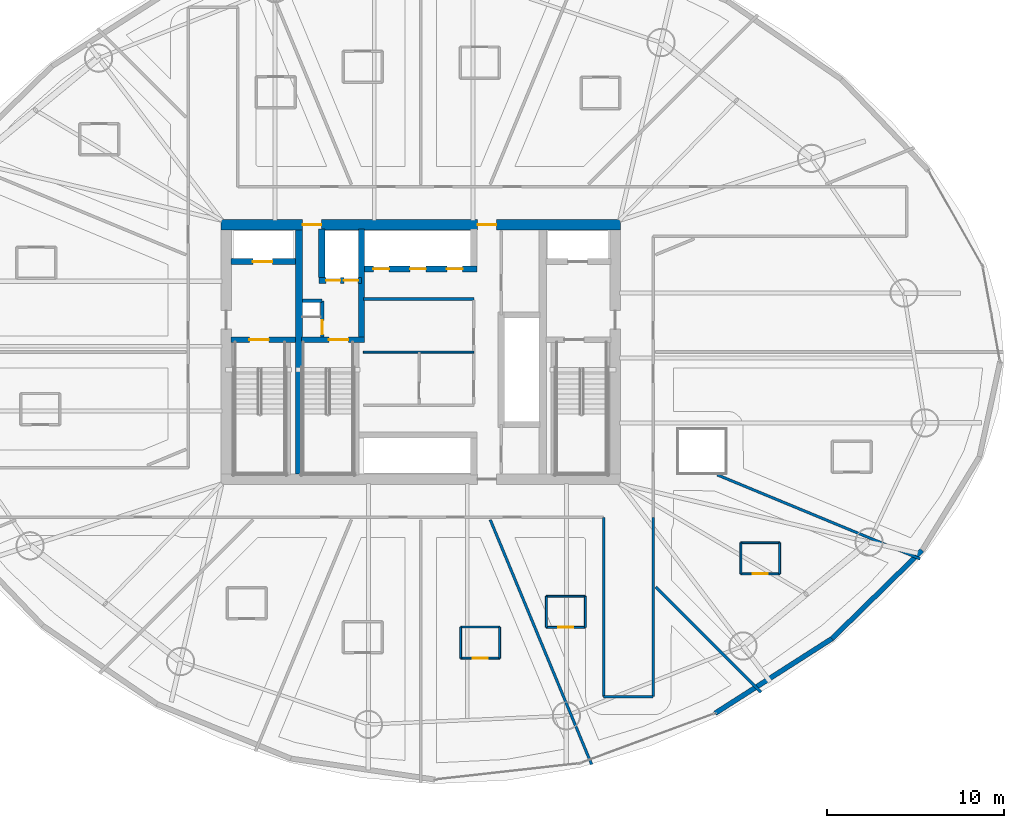
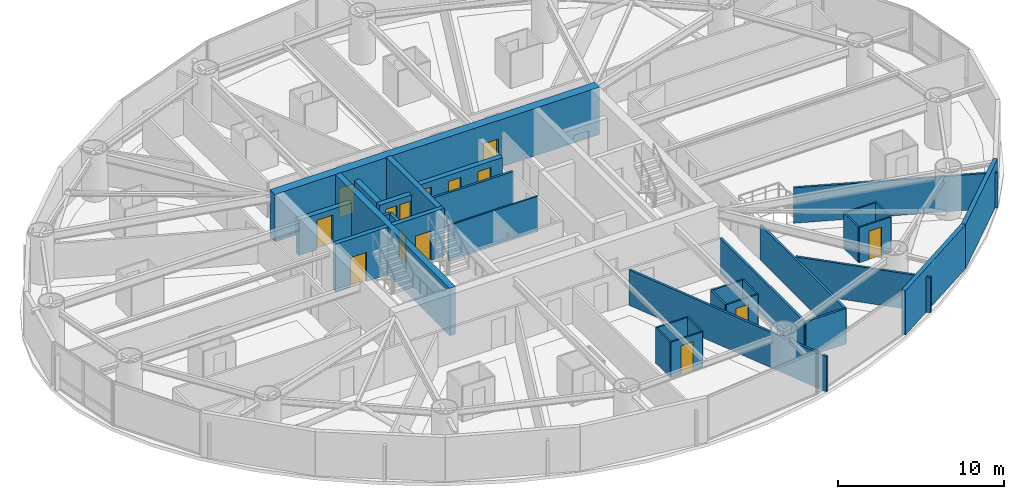
# One storey, part 20 of 27: 33 walls, 14 doors, 14 openings.
"""IFC4 building model written with IfcOpenShell, lengths in metres."""

from ifc_helpers import new_model, si_unit, direction, frame, frame_2d, origin, place, context, subcontext, project, spatial, rectangle, extrude, material, layer, layer_set, type_object, element, fill, save


model = new_model("IFC4")

# Units and contexts
model_context = context("Model", 3, precision=1e-05, world=origin(), true_north=direction((0.0, 1.0)))
body_context = subcontext(model_context, "Body", "Model", "MODEL_VIEW")
ifc_project = project(units=[si_unit("LENGTHUNIT", "METRE"), si_unit("AREAUNIT", "SQUARE_METRE"), si_unit("VOLUMEUNIT", "CUBIC_METRE"), si_unit("PLANEANGLEUNIT", "RADIAN"), si_unit("MASSUNIT", "GRAM", prefix="KILO")], contexts=[model_context])

# Site, building, storey
site_placement = place(None, origin())
site = spatial("IfcSite", under=ifc_project, at=site_placement, CompositionType="ELEMENT")
building_placement = place(site_placement, origin())
building = spatial("IfcBuilding", under=site, at=building_placement, Name="Bramvorn Convention Spire", CompositionType="ELEMENT")
storey_placement = place(building_placement, frame((0.0, 0.0, 41.39990234375)))
storey = spatial("IfcBuildingStorey", under=building, at=storey_placement, Name="L07", CompositionType="ELEMENT", Elevation=41.39990234375)

# Wall, openings, doors
ifc_material_1 = material(Name="Concrete C60/70", Category="concrete")
ifc_layer_1 = layer(ifc_material_1, 0.60009765625)
ifc_layer_set_1 = layer_set([ifc_layer_1], Name="Concrete C60/70 - WL-CORE-600")
wall_type_1 = type_object("IfcWallType", Name="WL-CORE-600", PredefinedType="SHEAR", material=ifc_layer_set_1)
wall_1_placement = place(storey_placement, frame((26.699951171875, 33.199951171875, 0.0), z_axis=(0.0, 0.0, 1.0), x_axis=(1.0, 0.0, 0.0)))
wall_1 = element("IfcWall", 1, at=wall_1_placement, inside=storey, type_object=wall_type_1, Name="L07 North RC core shear wall", PredefinedType="SHEAR", context=body_context, shape_type="SweptSolid", body=[
    extrude(rectangle(XDim=22.60009765625, YDim=0.60009765625, at=frame_2d((11.300048828125, 0.0))), origin(), (0.0, 0.0, 1.0), 3.5),
])
opening_1_placement = place(wall_1_placement, frame((4.6201171875, 0.0, 0.0)))
opening_1 = element("IfcOpeningElement", 2, at=opening_1_placement, cuts=wall_1, Name="Opening DL-105", PredefinedType="OPENING", context=body_context, shape_type="SweptSolid", body=[
    extrude(rectangle(XDim=1.050048828125, YDim=2.14990234375, at=frame_2d((0.52490234375, 1.074951171875))), frame((0.0, 0.31005859375, 0.0), z_axis=(0.0, -1.0, 0.0), x_axis=(1.0, 0.0, 0.0)), (0.0, 0.0, 1.0), 0.6201171875),
])
opening_2_placement = place(wall_1_placement, frame((14.52001953125, 0.0, 0.0)))
opening_2 = element("IfcOpeningElement", 3, at=opening_2_placement, cuts=wall_1, Name="Opening DL-105", PredefinedType="OPENING", context=body_context, shape_type="SweptSolid", body=[
    extrude(rectangle(XDim=1.050048828125, YDim=2.14990234375, at=frame_2d((0.52490234375, 1.074951171875))), frame((0.0, 0.31005859375, 0.0), z_axis=(0.0, -1.0, 0.0), x_axis=(1.0, 0.0, 0.0)), (0.0, 0.0, 1.0), 0.6201171875),
])
ifc_material_2 = material(Name="Smoke-Sealed Fire Lobby Timber-Core Door", Category="wood")
door_type_1 = type_object("IfcDoorType", Name="DR-LOBBY-1050", OperationType="NOTDEFINED", PredefinedType="DOOR", material=ifc_material_2)
door_1_placement = place(opening_1_placement, origin())
door_1 = element("IfcDoor", 4, at=door_1_placement, inside=storey, type_object=door_type_1, Name="L07 Service & Stair ST3 Lobby north corridor door", OperationType="SINGLE_SWING_LEFT", OverallHeight=2.14990234375, OverallWidth=1.050048828125, PredefinedType="DOOR", context=body_context, shape_type="SweptSolid", body=[
    extrude(rectangle(XDim=1.050048828125, YDim=2.14990234375, at=frame_2d((0.52490234375, 1.074951171875))), frame((0.0, 0.02490234375, 0.0), z_axis=(0.0, -1.0, 0.0), x_axis=(1.0, 0.0, 0.0)), (0.0, 0.0, 1.0), 0.050048828125),
])
fill(opening_1, door_1)
door_2_placement = place(opening_2_placement, origin())
door_2 = element("IfcDoor", 5, at=door_2_placement, inside=storey, type_object=door_type_1, Name="L07 North Lift Lobby fire door", OperationType="SINGLE_SWING_LEFT", OverallHeight=2.14990234375, OverallWidth=1.050048828125, PredefinedType="DOOR", context=body_context, shape_type="SweptSolid", body=[
    extrude(rectangle(XDim=1.050048828125, YDim=2.14990234375, at=frame_2d((0.52490234375, 1.074951171875))), frame((0.0, 0.02490234375, 0.0), z_axis=(0.0, -1.0, 0.0), x_axis=(1.0, 0.0, 0.0)), (0.0, 0.0, 1.0), 0.050048828125),
])
fill(opening_2, door_2)

# Wall, opening, door
ifc_material_3 = material(Name="Concrete C50/60", Category="concrete")
ifc_layer_2 = layer(ifc_material_3, 0.35009765625)
ifc_layer_set_2 = layer_set([ifc_layer_2], Name="Concrete C50/60 - WL-CORE-INT-350")
wall_type_2 = type_object("IfcWallType", Name="WL-CORE-INT-350", PredefinedType="SHEAR", material=ifc_layer_set_2)
wall_2_placement = place(storey_placement, frame((27.25, 31.1201171875, 0.0), z_axis=(0.0, 0.0, 1.0), x_axis=(1.0, 0.0, 0.0)))
wall_2 = element("IfcWall", 6, at=wall_2_placement, inside=storey, type_object=wall_type_2, Name="L07 FE1 shaft front wall", PredefinedType="SHEAR", context=body_context, shape_type="SweptSolid", body=[
    extrude(rectangle(XDim=3.669921875, YDim=0.35009765625, at=frame_2d((1.8349609375, 0.0))), origin(), (0.0, 0.0, 1.0), 2.60009765625),
])
opening_3_placement = place(wall_2_placement, frame((1.25, 0.0, 0.0)))
opening_3 = element("IfcOpeningElement", 7, at=opening_3_placement, cuts=wall_2, Name="Opening LD-110", PredefinedType="OPENING", context=body_context, shape_type="SweptSolid", body=[
    extrude(rectangle(XDim=1.10009765625, YDim=2.14990234375, at=frame_2d((0.550048828125, 1.074951171875))), frame((0.0, 0.18505859375, 0.0), z_axis=(0.0, -1.0, 0.0), x_axis=(1.0, 0.0, 0.0)), (0.0, 0.0, 1.0), 0.3701171875),
])
ifc_material_4 = material(Name="Firefighting & Service Lift Sliding Landing Door", Category="steel")
door_type_2 = type_object("IfcDoorType", Name="DR-LIFT-LD-1100", OperationType="NOTDEFINED", PredefinedType="DOOR", material=ifc_material_4)
door_3_placement = place(opening_3_placement, origin())
door_3 = element("IfcDoor", 8, at=door_3_placement, inside=storey, type_object=door_type_2, Name="L07 Lift FE1 Sliding Landing Door", OperationType="SLIDING_TO_LEFT", OverallHeight=2.14990234375, OverallWidth=1.10009765625, PredefinedType="DOOR", context=body_context, shape_type="SweptSolid", body=[
    extrude(rectangle(XDim=1.10009765625, YDim=2.14990234375, at=frame_2d((0.550048828125, 1.074951171875))), frame((0.0, 0.02490234375, 0.0), z_axis=(0.0, -1.0, 0.0), x_axis=(1.0, 0.0, 0.0)), (0.0, 0.0, 1.0), 0.050048828125),
])
fill(opening_3, door_3)

# Wall
wall_3_placement = place(storey_placement, frame((34.639892578125, 26.68994140625, 0.0), z_axis=(0.0, 0.0, 1.0), x_axis=(0.0, 1.0, 0.0)))
element("IfcWall", 9, at=wall_3_placement, inside=storey, type_object=wall_type_2, Name="L07 SV east core shaft wall", PredefinedType="SHEAR", context=body_context, shape_type="SweptSolid", body=[
    extrude(rectangle(XDim=6.260009765625, YDim=0.35009765625, at=frame_2d((3.1298828125, 0.0))), origin(), (0.0, 0.0, 1.0), 3.5),
])

# Wall, openings, doors
wall_4_placement = place(storey_placement, frame((32.22998046875, 30.050048828125, 0.0), z_axis=(0.0, 0.0, 1.0), x_axis=(1.0, 0.0, 0.0)))
wall_4 = element("IfcWall", 10, at=wall_4_placement, inside=storey, type_object=wall_type_2, Name="L07 SV1/SV2 shaft front wall", PredefinedType="SHEAR", context=body_context, shape_type="SweptSolid", body=[
    extrude(rectangle(XDim=2.409912109375, YDim=0.35009765625, at=frame_2d((1.205078125, 0.0))), origin(), (0.0, 0.0, 1.0), 2.60009765625),
])
opening_4_placement = place(wall_4_placement, frame((0.419921875, 0.0, 0.0)))
opening_4 = element("IfcOpeningElement", 11, at=opening_4_placement, cuts=wall_4, Name="Opening LD-080", PredefinedType="OPENING", context=body_context, shape_type="SweptSolid", body=[
    extrude(rectangle(XDim=0.800048828125, YDim=2.14990234375, at=frame_2d((0.39990234375, 1.074951171875))), frame((0.0, 0.18505859375, 0.0), z_axis=(0.0, -1.0, 0.0), x_axis=(1.0, 0.0, 0.0)), (0.0, 0.0, 1.0), 0.3701171875),
])
opening_5_placement = place(wall_4_placement, frame((1.419921875, 0.0, 0.0)))
opening_5 = element("IfcOpeningElement", 12, at=opening_5_placement, cuts=wall_4, Name="Opening LD-080", PredefinedType="OPENING", context=body_context, shape_type="SweptSolid", body=[
    extrude(rectangle(XDim=0.800048828125, YDim=2.14990234375, at=frame_2d((0.39990234375, 1.074951171875))), frame((0.0, 0.18505859375, 0.0), z_axis=(0.0, -1.0, 0.0), x_axis=(1.0, 0.0, 0.0)), (0.0, 0.0, 1.0), 0.3701171875),
])
ifc_material_5 = material(Name="Service Lift Bi-Parting Landing Door", Category="steel")
door_type_3 = type_object("IfcDoorType", Name="DR-LIFT-LD-800", OperationType="NOTDEFINED", PredefinedType="DOOR", material=ifc_material_5)
door_4_placement = place(opening_4_placement, origin())
door_4 = element("IfcDoor", 13, at=door_4_placement, inside=storey, type_object=door_type_3, Name="L07 Lift SV1 Sliding Landing Door", OperationType="SLIDING_TO_LEFT", OverallHeight=2.14990234375, OverallWidth=0.800048828125, PredefinedType="DOOR", context=body_context, shape_type="SweptSolid", body=[
    extrude(rectangle(XDim=0.800048828125, YDim=2.14990234375, at=frame_2d((0.39990234375, 1.074951171875))), frame((0.0, 0.02490234375, 0.0), z_axis=(0.0, -1.0, 0.0), x_axis=(1.0, 0.0, 0.0)), (0.0, 0.0, 1.0), 0.050048828125),
])
fill(opening_4, door_4)
door_5_placement = place(opening_5_placement, origin())
door_5 = element("IfcDoor", 14, at=door_5_placement, inside=storey, type_object=door_type_3, Name="L07 Lift SV2 Sliding Landing Door", OperationType="SLIDING_TO_LEFT", OverallHeight=2.14990234375, OverallWidth=0.800048828125, PredefinedType="DOOR", context=body_context, shape_type="SweptSolid", body=[
    extrude(rectangle(XDim=0.800048828125, YDim=2.14990234375, at=frame_2d((0.39990234375, 1.074951171875))), frame((0.0, 0.02490234375, 0.0), z_axis=(0.0, -1.0, 0.0), x_axis=(1.0, 0.0, 0.0)), (0.0, 0.0, 1.0), 0.050048828125),
])
fill(opening_5, door_5)

# Wall
wall_5_placement = place(storey_placement, frame((32.39990234375, 30.219970703125, 0.0), z_axis=(0.0, 0.0, 1.0), x_axis=(0.0, 1.0, 0.0)))
element("IfcWall", 15, at=wall_5_placement, inside=storey, type_object=wall_type_2, Name="L07 SV1 west hoistway wall", PredefinedType="SHEAR", context=body_context, shape_type="SweptSolid", body=[
    extrude(rectangle(XDim=2.72998046875, YDim=0.35009765625, at=frame_2d((1.364990234375, 0.0))), origin(), (0.0, 0.0, 1.0), 2.60009765625),
])

# Wall, openings, doors
wall_6_placement = place(storey_placement, frame((34.81005859375, 30.699951171875, 0.0), z_axis=(0.0, 0.0, 1.0), x_axis=(1.0, 0.0, 0.0)))
wall_6 = element("IfcWall", 16, at=wall_6_placement, inside=storey, type_object=wall_type_2, Name="L07 Low-rise bank south landing wall", PredefinedType="SHEAR", context=body_context, shape_type="SweptSolid", body=[
    extrude(rectangle(XDim=6.35986328125, YDim=0.35009765625, at=frame_2d((3.179931640625, 0.0))), origin(), (0.0, 0.0, 1.0), 2.60009765625),
])
opening_6_placement = place(wall_6_placement, frame((0.5, 0.0, 0.0)))
opening_6 = element("IfcOpeningElement", 17, at=opening_6_placement, cuts=wall_6, Name="Opening LD-090", PredefinedType="OPENING", context=body_context, shape_type="SweptSolid", body=[
    extrude(rectangle(XDim=0.89990234375, YDim=2.14990234375, at=frame_2d((0.449951171875, 1.074951171875))), frame((0.0, 0.18505859375, 0.0), z_axis=(0.0, -1.0, 0.0), x_axis=(1.0, 0.0, 0.0)), (0.0, 0.0, 1.0), 0.3701171875),
])
opening_7_placement = place(wall_6_placement, frame((2.580078125, 0.0, 0.0)))
opening_7 = element("IfcOpeningElement", 18, at=opening_7_placement, cuts=wall_6, Name="Opening LD-090", PredefinedType="OPENING", context=body_context, shape_type="SweptSolid", body=[
    extrude(rectangle(XDim=0.89990234375, YDim=2.14990234375, at=frame_2d((0.449951171875, 1.074951171875))), frame((0.0, 0.18505859375, 0.0), z_axis=(0.0, -1.0, 0.0), x_axis=(1.0, 0.0, 0.0)), (0.0, 0.0, 1.0), 0.3701171875),
])
opening_8_placement = place(wall_6_placement, frame((4.659912109375, 0.0, 0.0)))
opening_8 = element("IfcOpeningElement", 19, at=opening_8_placement, cuts=wall_6, Name="Opening LD-090", PredefinedType="OPENING", context=body_context, shape_type="SweptSolid", body=[
    extrude(rectangle(XDim=0.89990234375, YDim=2.14990234375, at=frame_2d((0.449951171875, 1.074951171875))), frame((0.0, 0.18505859375, 0.0), z_axis=(0.0, -1.0, 0.0), x_axis=(1.0, 0.0, 0.0)), (0.0, 0.0, 1.0), 0.3701171875),
])
ifc_material_6 = material(Name="Bi-Parting Fire-Rated Lift Landing Door", Category="steel")
door_type_4 = type_object("IfcDoorType", Name="DR-LIFT-LD-900", OperationType="NOTDEFINED", PredefinedType="DOOR", material=ifc_material_6)
door_6_placement = place(opening_6_placement, origin())
door_6 = element("IfcDoor", 20, at=door_6_placement, inside=storey, type_object=door_type_4, Name="L07 Lift PL1 Sliding Landing Door", OperationType="SLIDING_TO_LEFT", OverallHeight=2.14990234375, OverallWidth=0.89990234375, PredefinedType="DOOR", context=body_context, shape_type="SweptSolid", body=[
    extrude(rectangle(XDim=0.89990234375, YDim=2.14990234375, at=frame_2d((0.449951171875, 1.074951171875))), frame((0.0, 0.02490234375, 0.0), z_axis=(0.0, -1.0, 0.0), x_axis=(1.0, 0.0, 0.0)), (0.0, 0.0, 1.0), 0.050048828125),
])
fill(opening_6, door_6)
door_7_placement = place(opening_7_placement, origin())
door_7 = element("IfcDoor", 21, at=door_7_placement, inside=storey, type_object=door_type_4, Name="L07 Lift PL2 Sliding Landing Door", OperationType="SLIDING_TO_LEFT", OverallHeight=2.14990234375, OverallWidth=0.89990234375, PredefinedType="DOOR", context=body_context, shape_type="SweptSolid", body=[
    extrude(rectangle(XDim=0.89990234375, YDim=2.14990234375, at=frame_2d((0.449951171875, 1.074951171875))), frame((0.0, 0.02490234375, 0.0), z_axis=(0.0, -1.0, 0.0), x_axis=(1.0, 0.0, 0.0)), (0.0, 0.0, 1.0), 0.050048828125),
])
fill(opening_7, door_7)
door_8_placement = place(opening_8_placement, origin())
door_8 = element("IfcDoor", 22, at=door_8_placement, inside=storey, type_object=door_type_4, Name="L07 Lift PL3 Sliding Landing Door", OperationType="SLIDING_TO_LEFT", OverallHeight=2.14990234375, OverallWidth=0.89990234375, PredefinedType="DOOR", context=body_context, shape_type="SweptSolid", body=[
    extrude(rectangle(XDim=0.89990234375, YDim=2.14990234375, at=frame_2d((0.449951171875, 1.074951171875))), frame((0.0, 0.02490234375, 0.0), z_axis=(0.0, -1.0, 0.0), x_axis=(1.0, 0.0, 0.0)), (0.0, 0.0, 1.0), 0.050048828125),
])
fill(opening_8, door_8)

# Walls
ifc_layer_3 = layer(ifc_material_1, 0.39990234375)
ifc_layer_set_3 = layer_set([ifc_layer_3], Name="Concrete C60/70 - WL-CORE-INT-400")
wall_type_3 = type_object("IfcWallType", Name="WL-CORE-INT-400", PredefinedType="SHEAR", material=ifc_layer_set_3)
wall_7_placement = place(storey_placement, frame((31.10009765625, 19.10009765625, 0.0), z_axis=(0.0, 0.0, 1.0), x_axis=(0.0, 1.0, 0.0)))
element("IfcWall", 23, at=wall_7_placement, inside=storey, type_object=wall_type_3, Name="L07 West internal core shear web", PredefinedType="SHEAR", context=body_context, shape_type="SweptSolid", body=[
    extrude(rectangle(XDim=13.7998046875, YDim=0.39990234375, at=frame_2d((6.89990234375, 0.0))), origin(), (0.0, 0.0, 1.0), 3.5),
])
ifc_material_7 = material(Name="Precast Concrete C40/50 with Bronze Terracotta Rainscreen", Category="masonry")
ifc_layer_4 = layer(ifc_material_7, 0.300048828125)
ifc_layer_set_4 = layer_set([ifc_layer_4], Name="Precast Concrete C40/50 with Bronze Terracotta Rainscreen - WL-EXT-BRONZE-300")
wall_type_4 = type_object("IfcWallType", Name="WL-EXT-BRONZE-300", PredefinedType="SOLIDWALL", material=ifc_layer_set_4)
wall_8_placement = place(storey_placement, frame((61.264892578125, 9.787109375, 0.0), z_axis=(0.0, 0.0, 1.0), x_axis=(-0.84275430181, -0.538298417962, 0.0)))
element("IfcWall", 24, at=wall_8_placement, inside=storey, type_object=wall_type_4, Name="L07 expressed bronze Gothic lancet pier wall 21", PredefinedType="SOLIDWALL", context=body_context, shape_type="SweptSolid", body=[
    extrude(rectangle(XDim=7.844970703125, YDim=0.280029296875, at=frame_2d((3.92236328125, 0.0))), origin(), (0.0, 0.0, 1.0), 3.25),
])
wall_9_placement = place(storey_placement, frame((66.3671875, 14.78564453125, 0.0), z_axis=(0.0, 0.0, 1.0), x_axis=(-0.714332776808, -0.699806176007, 0.0)))
element("IfcWall", 25, at=wall_9_placement, inside=storey, type_object=wall_type_4, Name="L07 expressed bronze Gothic lancet pier wall 22", PredefinedType="SOLIDWALL", context=body_context, shape_type="SweptSolid", body=[
    extrude(rectangle(XDim=7.142822265625, YDim=0.280029296875, at=frame_2d((3.5712890625, 0.0))), origin(), (0.0, 0.0, 1.0), 3.25),
])
ifc_material_8 = material(Name="Lightweight En-Suite & Wet-Wall Partition", Category="gypsum")
ifc_layer_5 = layer(ifc_material_8, 0.110107421875)
ifc_layer_set_5 = layer_set([ifc_layer_5], Name="Lightweight En-Suite & Wet-Wall Partition - WL-PART-110")
wall_type_5 = type_object("IfcWallType", Name="WL-PART-110", PredefinedType="PARTITIONING", material=ifc_layer_set_5)
wall_10_placement = place(storey_placement, frame((34.75, 26.0, 0.0), z_axis=(0.0, 0.0, 1.0), x_axis=(1.0, 0.0, 0.0)))
element("IfcWall", 26, at=wall_10_placement, inside=storey, type_object=wall_type_5, Name="L07 KA horizontal core divider", PredefinedType="PARTITIONING", context=body_context, shape_type="SweptSolid", body=[
    extrude(rectangle(XDim=6.25, YDim=0.110107421875, at=frame_2d((3.125, 0.0))), origin(), (0.0, 0.0, 1.0), 2.60009765625),
])

# Wall, opening, door
wall_11_placement = place(storey_placement, frame((40.25439453125, 8.685302734375, 0.0), z_axis=(0.0, 0.0, 1.0), x_axis=(1.0, 0.0, 0.0)))
wall_11 = element("IfcWall", 27, at=wall_11_placement, inside=storey, type_object=wall_type_5, Name="Hotel Suite 0713 en-suite south wall", PredefinedType="PARTITIONING", context=body_context, shape_type="SweptSolid", body=[
    extrude(rectangle(XDim=2.199951171875, YDim=0.110107421875, at=frame_2d((1.10009765625, 0.0))), origin(), (0.0, 0.0, 1.0), 2.60009765625),
])
opening_9_placement = place(wall_11_placement, frame((0.679931640625, 0.0, 0.0)))
opening_9 = element("IfcOpeningElement", 28, at=opening_9_placement, cuts=wall_11, Name="Opening DI-085", PredefinedType="OPENING", context=body_context, shape_type="SweptSolid", body=[
    extrude(rectangle(XDim=0.85009765625, YDim=2.10009765625, at=frame_2d((0.425048828125, 1.050048828125))), frame((0.0, 0.06494140625, 0.0), z_axis=(0.0, -1.0, 0.0), x_axis=(1.0, 0.0, 0.0)), (0.0, 0.0, 1.0), 0.130126953125),
])
ifc_material_9 = material(Name="En-Suite & Restroom Privacy Door", Category="wood")
door_type_5 = type_object("IfcDoorType", Name="DR-INT-850", OperationType="NOTDEFINED", PredefinedType="DOOR", material=ifc_material_9)
door_9_placement = place(opening_9_placement, origin())
door_9 = element("IfcDoor", 29, at=door_9_placement, inside=storey, type_object=door_type_5, Name="Hotel Suite 0713 En-Suite Bathroom door", OperationType="SINGLE_SWING_LEFT", OverallHeight=2.10009765625, OverallWidth=0.85009765625, PredefinedType="DOOR", context=body_context, shape_type="SweptSolid", body=[
    extrude(rectangle(XDim=0.85009765625, YDim=2.10009765625, at=frame_2d((0.425048828125, 1.050048828125))), frame((0.0, 0.02490234375, 0.0), z_axis=(0.0, -1.0, 0.0), x_axis=(1.0, 0.0, 0.0)), (0.0, 0.0, 1.0), 0.050048828125),
])
fill(opening_9, door_9)

# Walls
wall_12_placement = place(storey_placement, frame((40.25439453125, 10.4453125, 0.0), z_axis=(0.0, 0.0, 1.0), x_axis=(1.0, 0.0, 0.0)))
element("IfcWall", 30, at=wall_12_placement, inside=storey, type_object=wall_type_5, Name="Hotel Suite 0713 en-suite north wall", PredefinedType="PARTITIONING", context=body_context, shape_type="SweptSolid", body=[
    extrude(rectangle(XDim=2.199951171875, YDim=0.110107421875, at=frame_2d((1.10009765625, 0.0))), origin(), (0.0, 0.0, 1.0), 2.60009765625),
])
for number, where, z_axis, x_axis, name in (
    (31, (40.25439453125, 8.685302734375, 0.0), (0.0, 0.0, 1.0), (0.0, 1.0, 0.0), "Hotel Suite 0713 en-suite west wall"),
    (32, (42.454345703125, 8.685302734375, 0.0), (0.0, 0.0, 1.0), (0.0, 1.0, 0.0), "Hotel Suite 0713 en-suite east wall"),
):
    element("IfcWall", number, at=place(storey_placement, frame(where, z_axis=z_axis, x_axis=x_axis)), inside=storey, type_object=wall_type_5, Name=name, PredefinedType="PARTITIONING", context=body_context, shape_type="SweptSolid", body=[
        extrude(rectangle(XDim=1.760009765625, YDim=0.110107421875, at=frame_2d((0.8798828125, 0.0))), origin(), (0.0, 0.0, 1.0), 2.60009765625),
    ])

# Wall, opening, door
wall_13_placement = place(storey_placement, frame((45.10791015625, 10.42431640625, 0.0), z_axis=(0.0, 0.0, 1.0), x_axis=(1.0, 0.0, 0.0)))
wall_13 = element("IfcWall", 33, at=wall_13_placement, inside=storey, type_object=wall_type_5, Name="Hotel Suite 0714 en-suite south wall", PredefinedType="PARTITIONING", context=body_context, shape_type="SweptSolid", body=[
    extrude(rectangle(XDim=2.2001953125, YDim=0.110107421875, at=frame_2d((1.10009765625, 0.0))), origin(), (0.0, 0.0, 1.0), 2.60009765625),
])
opening_10_placement = place(wall_13_placement, frame((0.679931640625, 0.0, 0.0)))
opening_10 = element("IfcOpeningElement", 34, at=opening_10_placement, cuts=wall_13, Name="Opening DI-085", PredefinedType="OPENING", context=body_context, shape_type="SweptSolid", body=[
    extrude(rectangle(XDim=0.85009765625, YDim=2.10009765625, at=frame_2d((0.425048828125, 1.050048828125))), frame((0.0, 0.06494140625, 0.0), z_axis=(0.0, -1.0, 0.0), x_axis=(1.0, 0.0, 0.0)), (0.0, 0.0, 1.0), 0.130126953125),
])
door_10_placement = place(opening_10_placement, origin())
door_10 = element("IfcDoor", 35, at=door_10_placement, inside=storey, type_object=door_type_5, Name="Hotel Suite 0714 En-Suite Bathroom door", OperationType="SINGLE_SWING_LEFT", OverallHeight=2.10009765625, OverallWidth=0.85009765625, PredefinedType="DOOR", context=body_context, shape_type="SweptSolid", body=[
    extrude(rectangle(XDim=0.85009765625, YDim=2.10009765625, at=frame_2d((0.425048828125, 1.050048828125))), frame((0.0, 0.02490234375, 0.0), z_axis=(0.0, -1.0, 0.0), x_axis=(1.0, 0.0, 0.0)), (0.0, 0.0, 1.0), 0.050048828125),
])
fill(opening_10, door_10)

# Walls
wall_14_placement = place(storey_placement, frame((45.10791015625, 12.18408203125, 0.0), z_axis=(0.0, 0.0, 1.0), x_axis=(1.0, 0.0, 0.0)))
element("IfcWall", 36, at=wall_14_placement, inside=storey, type_object=wall_type_5, Name="Hotel Suite 0714 en-suite north wall", PredefinedType="PARTITIONING", context=body_context, shape_type="SweptSolid", body=[
    extrude(rectangle(XDim=2.2001953125, YDim=0.110107421875, at=frame_2d((1.10009765625, 0.0))), origin(), (0.0, 0.0, 1.0), 2.60009765625),
])
for number, where, z_axis, x_axis, name in (
    (37, (45.10791015625, 10.42431640625, 0.0), (0.0, 0.0, 1.0), (0.0, 1.0, 0.0), "Hotel Suite 0714 en-suite west wall"),
    (38, (47.30810546875, 10.42431640625, 0.0), (0.0, 0.0, 1.0), (0.0, 1.0, 0.0), "Hotel Suite 0714 en-suite east wall"),
):
    element("IfcWall", number, at=place(storey_placement, frame(where, z_axis=z_axis, x_axis=x_axis)), inside=storey, type_object=wall_type_5, Name=name, PredefinedType="PARTITIONING", context=body_context, shape_type="SweptSolid", body=[
        extrude(rectangle(XDim=1.759765625, YDim=0.110107421875, at=frame_2d((0.8798828125, 0.0))), origin(), (0.0, 0.0, 1.0), 2.60009765625),
    ])

# Wall, opening, door
wall_15_placement = place(storey_placement, frame((56.10400390625, 13.451171875, 0.0), z_axis=(0.0, 0.0, 1.0), x_axis=(1.0, 0.0, 0.0)))
wall_15 = element("IfcWall", 39, at=wall_15_placement, inside=storey, type_object=wall_type_5, Name="Hotel Suite 0715 en-suite south wall", PredefinedType="PARTITIONING", context=body_context, shape_type="SweptSolid", body=[
    extrude(rectangle(XDim=2.2001953125, YDim=0.110107421875, at=frame_2d((1.10009765625, 0.0))), origin(), (0.0, 0.0, 1.0), 2.60009765625),
])
opening_11_placement = place(wall_15_placement, frame((0.679931640625, 0.0, 0.0)))
opening_11 = element("IfcOpeningElement", 40, at=opening_11_placement, cuts=wall_15, Name="Opening DI-085", PredefinedType="OPENING", context=body_context, shape_type="SweptSolid", body=[
    extrude(rectangle(XDim=0.85009765625, YDim=2.10009765625, at=frame_2d((0.425048828125, 1.050048828125))), frame((0.0, 0.06494140625, 0.0), z_axis=(0.0, -1.0, 0.0), x_axis=(1.0, 0.0, 0.0)), (0.0, 0.0, 1.0), 0.130126953125),
])
door_11_placement = place(opening_11_placement, origin())
door_11 = element("IfcDoor", 41, at=door_11_placement, inside=storey, type_object=door_type_5, Name="Hotel Suite 0715 En-Suite Bathroom door", OperationType="SINGLE_SWING_LEFT", OverallHeight=2.10009765625, OverallWidth=0.85009765625, PredefinedType="DOOR", context=body_context, shape_type="SweptSolid", body=[
    extrude(rectangle(XDim=0.85009765625, YDim=2.10009765625, at=frame_2d((0.425048828125, 1.050048828125))), frame((0.0, 0.02490234375, 0.0), z_axis=(0.0, -1.0, 0.0), x_axis=(1.0, 0.0, 0.0)), (0.0, 0.0, 1.0), 0.050048828125),
])
fill(opening_11, door_11)

# Walls
wall_16_placement = place(storey_placement, frame((56.10400390625, 15.211181640625, 0.0), z_axis=(0.0, 0.0, 1.0), x_axis=(1.0, 0.0, 0.0)))
element("IfcWall", 42, at=wall_16_placement, inside=storey, type_object=wall_type_5, Name="Hotel Suite 0715 en-suite north wall", PredefinedType="PARTITIONING", context=body_context, shape_type="SweptSolid", body=[
    extrude(rectangle(XDim=2.2001953125, YDim=0.110107421875, at=frame_2d((1.10009765625, 0.0))), origin(), (0.0, 0.0, 1.0), 2.60009765625),
])
for number, where, z_axis, x_axis, name in (
    (43, (56.10400390625, 13.451171875, 0.0), (0.0, 0.0, 1.0), (0.0, 1.0, 0.0), "Hotel Suite 0715 en-suite west wall"),
    (44, (58.30419921875, 13.451171875, 0.0), (0.0, 0.0, 1.0), (0.0, 1.0, 0.0), "Hotel Suite 0715 en-suite east wall"),
):
    element("IfcWall", number, at=place(storey_placement, frame(where, z_axis=z_axis, x_axis=x_axis)), inside=storey, type_object=wall_type_5, Name=name, PredefinedType="PARTITIONING", context=body_context, shape_type="SweptSolid", body=[
        extrude(rectangle(XDim=1.760009765625, YDim=0.110107421875, at=frame_2d((0.8798828125, 0.0))), origin(), (0.0, 0.0, 1.0), 2.60009765625),
    ])
ifc_material_10 = material(Name="Acoustic Metal-Stud Tenant/Corridor Partition", Category="gypsum")
ifc_layer_6 = layer(ifc_material_10, 0.14990234375)
ifc_layer_set_6 = layer_set([ifc_layer_6], Name="Acoustic Metal-Stud Tenant/Corridor Partition - WL-PART-150")
wall_type_6 = type_object("IfcWallType", Name="WL-PART-150", PredefinedType="PARTITIONING", material=ifc_layer_set_6)
wall_17_placement = place(storey_placement, frame((34.75, 29.0, 0.0), z_axis=(0.0, 0.0, 1.0), x_axis=(1.0, 0.0, 0.0)))
element("IfcWall", 45, at=wall_17_placement, inside=storey, type_object=wall_type_6, Name="L07 Low-rise lift vestibule south wall", PredefinedType="PARTITIONING", context=body_context, shape_type="SweptSolid", body=[
    extrude(rectangle(XDim=6.25, YDim=0.14990234375, at=frame_2d((3.125, 0.0))), origin(), (0.0, 0.0, 1.0), 2.60009765625),
])
for number, where, z_axis, x_axis, name in (
    (46, (48.35009765625, 6.5, 0.0), (0.0, 0.0, 1.0), (0.0, 1.0, 0.0), "L07 SE pinwheel wing west wall"),
    (47, (51.14990234375, 6.5, 0.0), (0.0, 0.0, 1.0), (0.0, 1.0, 0.0), "L07 SE pinwheel wing east wall"),
):
    element("IfcWall", number, at=place(storey_placement, frame(where, z_axis=z_axis, x_axis=x_axis)), inside=storey, type_object=wall_type_6, Name=name, PredefinedType="PARTITIONING", context=body_context, shape_type="SweptSolid", body=[
        extrude(rectangle(XDim=10.14990234375, YDim=0.14990234375, at=frame_2d((5.074951171875, 0.0))), origin(), (0.0, 0.0, 1.0), 2.60009765625),
    ])
wall_18_placement = place(storey_placement, frame((48.35009765625, 6.5, 0.0), z_axis=(0.0, 0.0, 1.0), x_axis=(1.0, 0.0, 0.0)))
element("IfcWall", 48, at=wall_18_placement, inside=storey, type_object=wall_type_6, Name="L07 SE pinwheel end wall", PredefinedType="PARTITIONING", context=body_context, shape_type="SweptSolid", body=[
    extrude(rectangle(XDim=2.7998046875, YDim=0.14990234375, at=frame_2d((1.39990234375, 0.0))), origin(), (0.0, 0.0, 1.0), 2.60009765625),
])
wall_19_placement = place(storey_placement, frame((41.930908203125, 16.510009765625, 0.0), z_axis=(0.0, 0.0, 1.0), x_axis=(0.382684118973, -0.923879248109, 0.0)))
element("IfcWall", 49, at=wall_19_placement, inside=storey, type_object=wall_type_6, Name="L07 Guestroom demising wall 14", PredefinedType="PARTITIONING", context=body_context, shape_type="SweptSolid", body=[
    extrude(rectangle(XDim=14.98779296875, YDim=0.14990234375, at=frame_2d((7.493896484375, 0.0))), origin(), (0.0, 0.0, 1.0), 2.60009765625),
])
wall_20_placement = place(storey_placement, frame((51.2900390625, 12.7099609375, 0.0), z_axis=(0.0, 0.0, 1.0), x_axis=(0.707106781187, -0.707106781187, 0.0)))
element("IfcWall", 50, at=wall_20_placement, inside=storey, type_object=wall_type_6, Name="L07 Guestroom demising wall 15", PredefinedType="PARTITIONING", context=body_context, shape_type="SweptSolid", body=[
    extrude(rectangle(XDim=8.42626953125, YDim=0.14990234375, at=frame_2d((4.213134765625, 0.0))), origin(), (0.0, 0.0, 1.0), 2.60009765625),
])
wall_21_placement = place(storey_placement, frame((54.77880859375, 19.050048828125, 0.0), z_axis=(0.0, 0.0, 1.0), x_axis=(0.923879997354, -0.382682310133, 0.0)))
element("IfcWall", 51, at=wall_21_placement, inside=storey, type_object=wall_type_6, Name="L07 Guestroom demising wall 16", PredefinedType="PARTITIONING", context=body_context, shape_type="SweptSolid", body=[
    extrude(rectangle(XDim=12.416748046875, YDim=0.14990234375, at=frame_2d((6.20849609375, 0.0))), origin(), (0.0, 0.0, 1.0), 2.60009765625),
])

# Wall, opening, door
ifc_material_11 = material(Name="Gypsum Shaftwall & Rockwool Core Partition", Category="gypsum")
ifc_layer_7 = layer(ifc_material_11, 0.199951171875)
ifc_layer_set_7 = layer_set([ifc_layer_7], Name="Gypsum Shaftwall & Rockwool Core Partition - WL-PART-200-FR")
wall_type_7 = type_object("IfcWallType", Name="WL-PART-200-FR", PredefinedType="PARTITIONING", material=ifc_layer_set_7)
wall_22_placement = place(storey_placement, frame((32.419921875, 26.860107421875, 0.0), z_axis=(0.0, 0.0, 1.0), x_axis=(0.0, 1.0, 0.0)))
wall_22 = element("IfcWall", 52, at=wall_22_placement, inside=storey, type_object=wall_type_7, Name="L07 Telecom riser east wall", PredefinedType="PARTITIONING", context=body_context, shape_type="SweptSolid", body=[
    extrude(rectangle(XDim=2.039794921875, YDim=0.199951171875, at=frame_2d((1.02001953125, 0.0))), origin(), (0.0, 0.0, 1.0), 2.60009765625),
])
opening_12_placement = place(wall_22_placement, frame((0.139892578125, 0.0, 0.0)))
opening_12 = element("IfcOpeningElement", 53, at=opening_12_placement, cuts=wall_22, Name="Opening DR-080", PredefinedType="OPENING", context=body_context, shape_type="SweptSolid", body=[
    extrude(rectangle(XDim=0.800048828125, YDim=2.050048828125, at=frame_2d((0.39990234375, 1.02490234375))), frame((0.0, 0.10986328125, 0.0), z_axis=(0.0, -1.0, 0.0), x_axis=(1.0, 0.0, 0.0)), (0.0, 0.0, 1.0), 0.219970703125),
])
ifc_material_12 = material(Name="Flush Steel Riser Access Door", Category="steel")
door_type_6 = type_object("IfcDoorType", Name="DR-RISER-800", OperationType="NOTDEFINED", PredefinedType="DOOR", material=ifc_material_12)
door_12_placement = place(opening_12_placement, origin())
door_12 = element("IfcDoor", 54, at=door_12_placement, inside=storey, type_object=door_type_6, Name="L07 Telecom riser access door", OperationType="SINGLE_SWING_RIGHT", OverallHeight=2.050048828125, OverallWidth=0.800048828125, PredefinedType="DOOR", context=body_context, shape_type="SweptSolid", body=[
    extrude(rectangle(XDim=0.800048828125, YDim=2.050048828125, at=frame_2d((0.39990234375, 1.02490234375))), frame((0.0, 0.02490234375, 0.0), z_axis=(0.0, -1.0, 0.0), x_axis=(1.0, 0.0, 0.0)), (0.0, 0.0, 1.0), 0.050048828125),
])
fill(opening_12, door_12)

# Wall
wall_23_placement = place(storey_placement, frame((31.300048828125, 28.89990234375, 0.0), z_axis=(0.0, 0.0, 1.0), x_axis=(1.0, 0.0, 0.0)))
element("IfcWall", 55, at=wall_23_placement, inside=storey, type_object=wall_type_7, Name="L07 Telecom riser north wall", PredefinedType="PARTITIONING", context=body_context, shape_type="SweptSolid", body=[
    extrude(rectangle(XDim=1.119873046875, YDim=0.199951171875, at=frame_2d((0.56005859375, 0.0))), origin(), (0.0, 0.0, 1.0), 2.60009765625),
])

# Wall, opening, door
ifc_layer_8 = layer(ifc_material_3, 0.300048828125)
ifc_layer_set_8 = layer_set([ifc_layer_8], Name="Concrete C50/60 - WL-POD-STAIR-300")
wall_type_8 = type_object("IfcWallType", Name="WL-POD-STAIR-300", PredefinedType="SHEAR", material=ifc_layer_set_8)
wall_24_placement = place(storey_placement, frame((27.25, 26.68994140625, 0.0), z_axis=(0.0, 0.0, 1.0), x_axis=(1.0, 0.0, 0.0)))
wall_24 = element("IfcWall", 56, at=wall_24_placement, inside=storey, type_object=wall_type_8, Name="L07 ST1 north fire wall", PredefinedType="SHEAR", context=body_context, shape_type="SweptSolid", body=[
    extrude(rectangle(XDim=3.669921875, YDim=0.300048828125, at=frame_2d((1.8349609375, 0.0))), origin(), (0.0, 0.0, 1.0), 3.5),
])
opening_13_placement = place(wall_24_placement, frame((1.050048828125, 0.0, 0.0)))
opening_13 = element("IfcOpeningElement", 57, at=opening_13_placement, cuts=wall_24, Name="Opening DS-110", PredefinedType="OPENING", context=body_context, shape_type="SweptSolid", body=[
    extrude(rectangle(XDim=1.10009765625, YDim=2.14990234375, at=frame_2d((0.550048828125, 1.074951171875))), frame((0.0, 0.159912109375, 0.0), z_axis=(0.0, -1.0, 0.0), x_axis=(1.0, 0.0, 0.0)), (0.0, 0.0, 1.0), 0.320068359375),
])
ifc_material_13 = material(Name="Fire-Rated Hollow Steel Stairwell Door", Category="steel")
door_type_7 = type_object("IfcDoorType", Name="DR-STAIR-1100", OperationType="NOTDEFINED", PredefinedType="DOOR", material=ifc_material_13)
door_13_placement = place(opening_13_placement, origin())
door_13 = element("IfcDoor", 58, at=door_13_placement, inside=storey, type_object=door_type_7, Name="L07 Stair ST1 fire door", OperationType="SINGLE_SWING_LEFT", OverallHeight=2.14990234375, OverallWidth=1.10009765625, PredefinedType="DOOR", context=body_context, shape_type="SweptSolid", body=[
    extrude(rectangle(XDim=1.10009765625, YDim=2.14990234375, at=frame_2d((0.550048828125, 1.074951171875))), frame((0.0, 0.02490234375, 0.0), z_axis=(0.0, -1.0, 0.0), x_axis=(1.0, 0.0, 0.0)), (0.0, 0.0, 1.0), 0.050048828125),
])
fill(opening_13, door_13)

wall_25_placement = place(storey_placement, frame((31.25, 26.68994140625, 0.0), z_axis=(0.0, 0.0, 1.0), x_axis=(1.0, 0.0, 0.0)))
wall_25 = element("IfcWall", 59, at=wall_25_placement, inside=storey, type_object=wall_type_8, Name="L07 ST3 north lobby wall", PredefinedType="SHEAR", context=body_context, shape_type="SweptSolid", body=[
    extrude(rectangle(XDim=3.56005859375, YDim=0.300048828125, at=frame_2d((1.780029296875, 0.0))), origin(), (0.0, 0.0, 1.0), 3.5),
])
opening_14_placement = place(wall_25_placement, frame((1.550048828125, 0.0, 0.0)))
opening_14 = element("IfcOpeningElement", 60, at=opening_14_placement, cuts=wall_25, Name="Opening DS-110", PredefinedType="OPENING", context=body_context, shape_type="SweptSolid", body=[
    extrude(rectangle(XDim=1.10009765625, YDim=2.14990234375, at=frame_2d((0.550048828125, 1.074951171875))), frame((0.0, 0.159912109375, 0.0), z_axis=(0.0, -1.0, 0.0), x_axis=(1.0, 0.0, 0.0)), (0.0, 0.0, 1.0), 0.320068359375),
])
door_14_placement = place(opening_14_placement, origin())
door_14 = element("IfcDoor", 61, at=door_14_placement, inside=storey, type_object=door_type_7, Name="L07 Stair ST3 fire door", OperationType="SINGLE_SWING_LEFT", OverallHeight=2.14990234375, OverallWidth=1.10009765625, PredefinedType="DOOR", context=body_context, shape_type="SweptSolid", body=[
    extrude(rectangle(XDim=1.10009765625, YDim=2.14990234375, at=frame_2d((0.550048828125, 1.074951171875))), frame((0.0, 0.02490234375, 0.0), z_axis=(0.0, -1.0, 0.0), x_axis=(1.0, 0.0, 0.0)), (0.0, 0.0, 1.0), 0.050048828125),
])
fill(opening_14, door_14)

save(model, "model.ifc")
